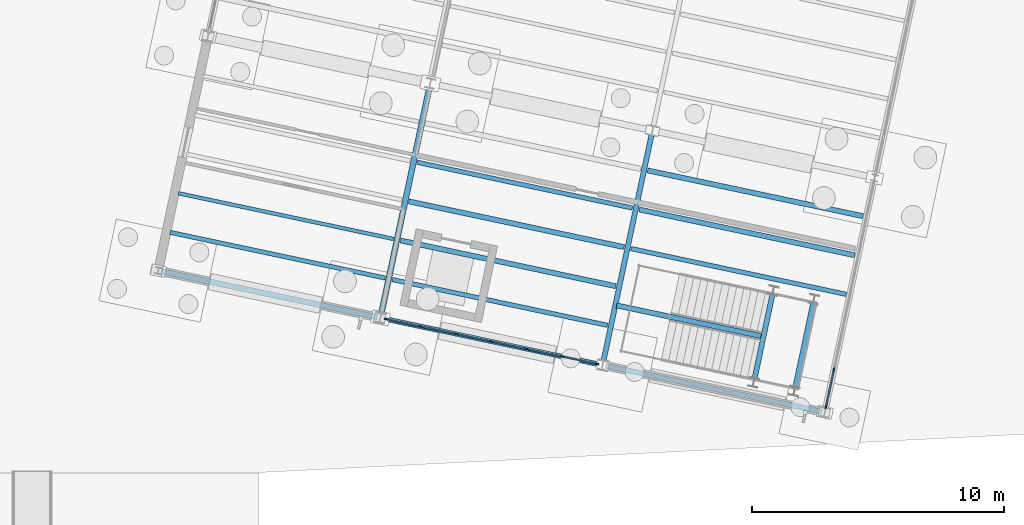
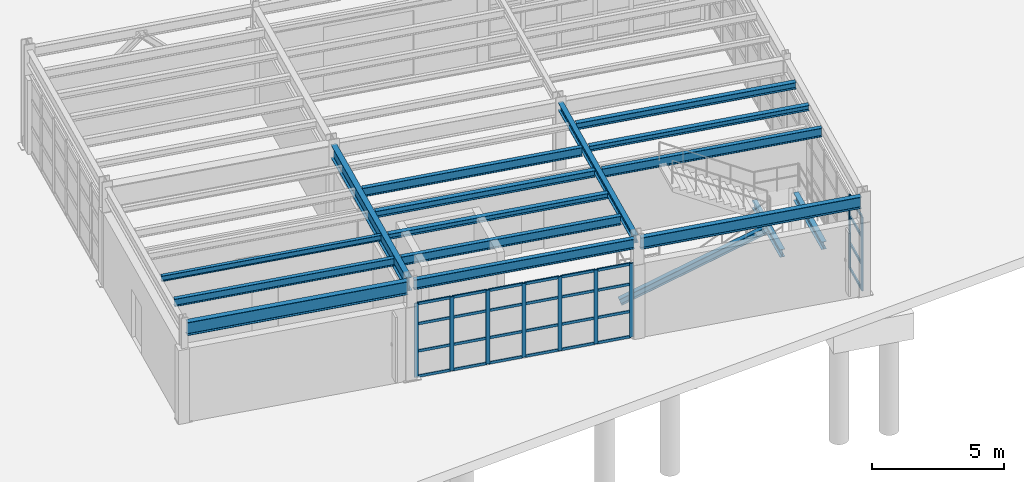
# One storey, part 53 of 108: 38 members, 16 beams, 2 elements without a shape of their own.
"""IFC4 building model written with IfcOpenShell, lengths in metres."""

from ifc_helpers import new_model, si_unit, direction, frame, origin, origin_2d, place, context, subcontext, project, spatial, rectangle, i_section, extrude, material, layer, layer_set, material_profile, profile_set, type_object, element, aggregate, save


model = new_model("IFC4")

# Units and contexts
model_context = context("Model", 3, precision=1e-05, world=origin(), true_north=direction((0.0, 1.0)))
body_context = subcontext(model_context, "Body", "Model", "MODEL_VIEW")
ifc_project = project(units=[si_unit("LENGTHUNIT", "METRE"), si_unit("AREAUNIT", "SQUARE_METRE"), si_unit("VOLUMEUNIT", "CUBIC_METRE"), si_unit("PLANEANGLEUNIT", "RADIAN"), si_unit("MASSUNIT", "GRAM", prefix="KILO")], contexts=[model_context])

# Site, building, storey
site_placement = place(None, origin())
site = spatial("IfcSite", under=ifc_project, at=site_placement, CompositionType="ELEMENT")
building_placement = place(site_placement, origin())
building = spatial("IfcBuilding", under=site, at=building_placement, Name="Vireo Bluff Cable Station", CompositionType="ELEMENT")
storey_placement = place(building_placement, origin())
storey = spatial("IfcBuildingStorey", under=building, at=storey_placement, Name="L00", CompositionType="ELEMENT", Elevation=0.0)

# Beams
ifc_material_1 = material(Name="Steel ASTM A992 Gr. 50", Category="steel")
ifc_material_profile_1 = material_profile(ifc_material_1, i_section(OverallWidth=0.2041015625, OverallDepth=0.35009765625, WebThickness=0.008544921875, FlangeThickness=0.01513671875, FilletRadius=0.010009765625, at=origin_2d()), Name="W14X48")
ifc_profile_set_1 = profile_set([ifc_material_profile_1], Name="Steel ASTM A992 Gr. 50")
beam_type_1 = type_object("IfcBeamType", Name="BM-W14X48", PredefinedType="BEAM", material=ifc_profile_set_1)
beam_1_placement = place(storey_placement, frame((147.631591796875, 6.375, 4.364990234375), z_axis=(0.207915514037, 0.978146788076, 0.0), x_axis=(-0.978146788076, 0.207915514037, 0.0)))
element("IfcBeam", 1, at=beam_1_placement, inside=storey, type_object=beam_type_1, Name="V5E L00 beam 1296", PredefinedType="BEAM", context=body_context, shape_type="SweptSolid", body=[
    extrude(i_section(OverallWidth=0.2041015625, OverallDepth=0.35009765625, WebThickness=0.008544921875, FlangeThickness=0.01513671875, FilletRadius=0.010009765625, at=origin_2d()), origin(), (0.0, 0.0, 1.0), 9.260009765625),
])
for number, where, z_axis, x_axis, name in (
    (2, (153.623046875, 5.70458984375, 2.02490234375), (0.207948730242, 0.978139727028, 0.0), (-0.978139727028, 0.207948730242, 0.0), "ST-06 L00 landing header beam N"),
    (3, (155.237060546875, 5.361572265625, 2.02490234375), (0.207948730242, 0.978139727028, 0.0), (-0.978139727028, 0.207948730242, 0.0), "ST-06 L00 landing header beam F"),
):
    element("IfcBeam", number, at=place(storey_placement, frame(where, z_axis=z_axis, x_axis=x_axis)), inside=storey, type_object=beam_type_1, Name=name, PredefinedType="BEAM", context=body_context, shape_type="SweptSolid", body=[
        extrude(i_section(OverallWidth=0.2041015625, OverallDepth=0.35009765625, WebThickness=0.008544921875, FlangeThickness=0.01513671875, FilletRadius=0.010009765625, at=origin_2d()), origin(), (0.0, 0.0, 1.0), 3.43994140625),
    ])

# Curtain wall, members
ifc_material_2 = material(Name="Anodized Aluminium 6063-T6", Category="aluminium")
ifc_layer_1 = layer(ifc_material_2, 0.179931640625, Name="Anodized Aluminium 6063-T6")
ifc_layer_set_1 = layer_set([ifc_layer_1], Name="Anodized Aluminium 6063-T6")
curtain_wall_type_1 = type_object("IfcCurtainWallType", Name="CW-UNIT-1500", PredefinedType="USERDEFINED", material=ifc_layer_set_1)
curtain_wall_1_placement = place(storey_placement, origin())
curtain_wall_1 = element("IfcCurtainWall", 4, at=curtain_wall_1_placement, inside=storey, type_object=curtain_wall_type_1, Name="V5E L00 south curtain wall CW-130", ObjectType="UNITISED CURTAIN WALL", PredefinedType="USERDEFINED")
ifc_material_profile_2 = material_profile(ifc_material_2, rectangle(XDim=0.06005859375, YDim=0.159912109375, at=origin_2d()), Name="ALU-M-60X160")
ifc_profile_set_2 = profile_set([ifc_material_profile_2], Name="Anodized Aluminium 6063-T6")
member_type_1 = type_object("IfcMemberType", Name="CWM-03", PredefinedType="MULLION", material=ifc_profile_set_2)
member_1_placement = place(storey_placement, frame((147.379150390625, 6.305908203125, 0.0), z_axis=(0.0, 0.0, 1.0), x_axis=(-0.207911683955, -0.978147602193, 0.0)))
member_1 = element("IfcMember", 5, at=member_1_placement, type_object=member_type_1, Name="CW-130 mullion 1", PredefinedType="MULLION", context=body_context, shape_type="SweptSolid", body=[
    extrude(rectangle(XDim=0.06005859375, YDim=0.159912109375, at=origin_2d()), origin(), (0.0, 0.0, 1.0), 3.39990234375),
])
member_2_placement = place(storey_placement, frame((146.00732421875, 6.597412109375, 0.0), z_axis=(0.0, 0.0, 1.0), x_axis=(-0.207911683955, -0.978147602193, 0.0)))
member_2 = element("IfcMember", 6, at=member_2_placement, type_object=member_type_1, Name="CW-130 mullion 2", PredefinedType="MULLION", context=body_context, shape_type="SweptSolid", body=[
    extrude(rectangle(XDim=0.06005859375, YDim=0.159912109375, at=origin_2d()), origin(), (0.0, 0.0, 1.0), 3.39990234375),
])
member_3_placement = place(storey_placement, frame((144.606201171875, 6.895263671875, 0.0), z_axis=(0.0, 0.0, 1.0), x_axis=(-0.207911683955, -0.978147602193, 0.0)))
member_3 = element("IfcMember", 7, at=member_3_placement, type_object=member_type_1, Name="CW-130 mullion 3", PredefinedType="MULLION", context=body_context, shape_type="SweptSolid", body=[
    extrude(rectangle(XDim=0.06005859375, YDim=0.159912109375, at=origin_2d()), origin(), (0.0, 0.0, 1.0), 3.39990234375),
])
member_4_placement = place(storey_placement, frame((143.205078125, 7.193115234375, 0.0), z_axis=(0.0, 0.0, 1.0), x_axis=(-0.207911683955, -0.978147602193, 0.0)))
member_4 = element("IfcMember", 8, at=member_4_placement, type_object=member_type_1, Name="CW-130 mullion 4", PredefinedType="MULLION", context=body_context, shape_type="SweptSolid", body=[
    extrude(rectangle(XDim=0.06005859375, YDim=0.159912109375, at=origin_2d()), origin(), (0.0, 0.0, 1.0), 3.39990234375),
])
member_5_placement = place(storey_placement, frame((141.8037109375, 7.490966796875, 0.0), z_axis=(0.0, 0.0, 1.0), x_axis=(-0.207911683955, -0.978147602193, 0.0)))
member_5 = element("IfcMember", 9, at=member_5_placement, type_object=member_type_1, Name="CW-130 mullion 5", PredefinedType="MULLION", context=body_context, shape_type="SweptSolid", body=[
    extrude(rectangle(XDim=0.06005859375, YDim=0.159912109375, at=origin_2d()), origin(), (0.0, 0.0, 1.0), 3.39990234375),
])
member_6_placement = place(storey_placement, frame((140.402587890625, 7.788818359375, 0.0), z_axis=(0.0, 0.0, 1.0), x_axis=(-0.207911683955, -0.978147602193, 0.0)))
member_6 = element("IfcMember", 10, at=member_6_placement, type_object=member_type_1, Name="CW-130 mullion 6", PredefinedType="MULLION", context=body_context, shape_type="SweptSolid", body=[
    extrude(rectangle(XDim=0.06005859375, YDim=0.159912109375, at=origin_2d()), origin(), (0.0, 0.0, 1.0), 3.39990234375),
])
member_7_placement = place(storey_placement, frame((139.03076171875, 8.08056640625, 0.0), z_axis=(0.0, 0.0, 1.0), x_axis=(-0.207911683955, -0.978147602193, 0.0)))
member_7 = element("IfcMember", 11, at=member_7_placement, type_object=member_type_1, Name="CW-130 mullion 7", PredefinedType="MULLION", context=body_context, shape_type="SweptSolid", body=[
    extrude(rectangle(XDim=0.06005859375, YDim=0.159912109375, at=origin_2d()), origin(), (0.0, 0.0, 1.0), 3.39990234375),
])

ifc_layer_2 = layer(ifc_material_2, 0.179931640625, Name="Anodized Aluminium 6063-T6")
ifc_layer_set_2 = layer_set([ifc_layer_2], Name="Anodized Aluminium 6063-T6")
curtain_wall_type_2 = type_object("IfcCurtainWallType", Name="CW-UNIT-1650", PredefinedType="USERDEFINED", material=ifc_layer_set_2)
curtain_wall_2_placement = place(storey_placement, origin())
curtain_wall_2 = element("IfcCurtainWall", 12, at=curtain_wall_2_placement, inside=storey, type_object=curtain_wall_type_2, Name="V5E L00 east curtain wall CW-134", ObjectType="UNITISED CURTAIN WALL", PredefinedType="USERDEFINED")
member_8_placement = place(storey_placement, frame((156.76953125, 6.078125, 0.0), z_axis=(0.0, 0.0, 1.0), x_axis=(0.978147584727, -0.207911766122, 0.0)))
member_8 = element("IfcMember", 13, at=member_8_placement, type_object=member_type_1, Name="CW-134 mullion 6", PredefinedType="MULLION", context=body_context, shape_type="SweptSolid", body=[
    extrude(rectangle(XDim=0.06005859375, YDim=0.159912109375, at=origin_2d()), origin(), (0.0, 0.0, 1.0), 3.39990234375),
])
member_9_placement = place(storey_placement, frame((156.4580078125, 4.61279296875, 0.0), z_axis=(0.0, 0.0, 1.0), x_axis=(0.978147584727, -0.207911766122, 0.0)))
member_9 = element("IfcMember", 14, at=member_9_placement, type_object=member_type_1, Name="CW-134 mullion 7", PredefinedType="MULLION", context=body_context, shape_type="SweptSolid", body=[
    extrude(rectangle(XDim=0.06005859375, YDim=0.159912109375, at=origin_2d()), origin(), (0.0, 0.0, 1.0), 3.39990234375),
])

# Member
ifc_material_profile_3 = material_profile(ifc_material_2, rectangle(XDim=0.06005859375, YDim=0.1201171875, at=origin_2d()), Name="ALU-T-60X120")
ifc_profile_set_3 = profile_set([ifc_material_profile_3], Name="Anodized Aluminium 6063-T6")
member_type_2 = type_object("IfcMemberType", Name="CWT-03", PredefinedType="USERDEFINED", material=ifc_profile_set_3)
member_10_placement = place(storey_placement, frame((147.349853515625, 6.312255859375, 0.030029296875), z_axis=(-0.978160237388, 0.207852231146, 0.0), x_axis=(-0.207852231146, -0.978160237388, 0.0)))
member_10 = element("IfcMember", 15, at=member_10_placement, type_object=member_type_2, Name="CW-130 transom 1.1", ObjectType="TRANSOM", PredefinedType="USERDEFINED", context=body_context, shape_type="SweptSolid", body=[
    extrude(rectangle(XDim=0.06005859375, YDim=0.1201171875, at=origin_2d()), origin(), (0.0, 0.0, 1.0), 1.342529296875),
])

member_11_placement = place(storey_placement, frame((147.349853515625, 6.312255859375, 1.18994140625), z_axis=(-0.978160237388, 0.207852231146, 0.0), x_axis=(-0.207852231146, -0.978160237388, 0.0)))
member_11 = element("IfcMember", 16, at=member_11_placement, type_object=member_type_2, Name="CW-130 transom 1.2", ObjectType="TRANSOM", PredefinedType="USERDEFINED", context=body_context, shape_type="SweptSolid", body=[
    extrude(rectangle(XDim=0.06005859375, YDim=0.1201171875, at=origin_2d()), origin(), (0.0, 0.0, 1.0), 1.342529296875),
])

member_12_placement = place(storey_placement, frame((147.349853515625, 6.312255859375, 2.447998046875), z_axis=(-0.978160237388, 0.207852231146, 0.0), x_axis=(-0.207852231146, -0.978160237388, 0.0)))
member_12 = element("IfcMember", 17, at=member_12_placement, type_object=member_type_2, Name="CW-130 transom 1.3", ObjectType="TRANSOM", PredefinedType="USERDEFINED", context=body_context, shape_type="SweptSolid", body=[
    extrude(rectangle(XDim=0.06005859375, YDim=0.1201171875, at=origin_2d()), origin(), (0.0, 0.0, 1.0), 1.342529296875),
])

member_13_placement = place(storey_placement, frame((147.349853515625, 6.312255859375, 3.3701171875), z_axis=(-0.978160237388, 0.207852231146, 0.0), x_axis=(-0.207852231146, -0.978160237388, 0.0)))
member_13 = element("IfcMember", 18, at=member_13_placement, type_object=member_type_2, Name="CW-130 transom 1.4", ObjectType="TRANSOM", PredefinedType="USERDEFINED", context=body_context, shape_type="SweptSolid", body=[
    extrude(rectangle(XDim=0.06005859375, YDim=0.1201171875, at=origin_2d()), origin(), (0.0, 0.0, 1.0), 1.342529296875),
])

member_14_placement = place(storey_placement, frame((145.97802734375, 6.603759765625, 0.030029296875), z_axis=(-0.97814212115, 0.207937468562, 0.0), x_axis=(-0.207937468562, -0.97814212115, 0.0)))
member_14 = element("IfcMember", 19, at=member_14_placement, type_object=member_type_2, Name="CW-130 transom 2.1", ObjectType="TRANSOM", PredefinedType="USERDEFINED", context=body_context, shape_type="SweptSolid", body=[
    extrude(rectangle(XDim=0.06005859375, YDim=0.1201171875, at=origin_2d()), origin(), (0.0, 0.0, 1.0), 1.37255859375),
])

member_15_placement = place(storey_placement, frame((145.97802734375, 6.603759765625, 1.18994140625), z_axis=(-0.97814212115, 0.207937468562, 0.0), x_axis=(-0.207937468562, -0.97814212115, 0.0)))
member_15 = element("IfcMember", 20, at=member_15_placement, type_object=member_type_2, Name="CW-130 transom 2.2", ObjectType="TRANSOM", PredefinedType="USERDEFINED", context=body_context, shape_type="SweptSolid", body=[
    extrude(rectangle(XDim=0.06005859375, YDim=0.1201171875, at=origin_2d()), origin(), (0.0, 0.0, 1.0), 1.37255859375),
])

member_16_placement = place(storey_placement, frame((145.97802734375, 6.603759765625, 2.447998046875), z_axis=(-0.97814212115, 0.207937468562, 0.0), x_axis=(-0.207937468562, -0.97814212115, 0.0)))
member_16 = element("IfcMember", 21, at=member_16_placement, type_object=member_type_2, Name="CW-130 transom 2.3", ObjectType="TRANSOM", PredefinedType="USERDEFINED", context=body_context, shape_type="SweptSolid", body=[
    extrude(rectangle(XDim=0.06005859375, YDim=0.1201171875, at=origin_2d()), origin(), (0.0, 0.0, 1.0), 1.37255859375),
])

member_17_placement = place(storey_placement, frame((145.97802734375, 6.603759765625, 3.3701171875), z_axis=(-0.97814212115, 0.207937468562, 0.0), x_axis=(-0.207937468562, -0.97814212115, 0.0)))
member_17 = element("IfcMember", 22, at=member_17_placement, type_object=member_type_2, Name="CW-130 transom 2.4", ObjectType="TRANSOM", PredefinedType="USERDEFINED", context=body_context, shape_type="SweptSolid", body=[
    extrude(rectangle(XDim=0.06005859375, YDim=0.1201171875, at=origin_2d()), origin(), (0.0, 0.0, 1.0), 1.37255859375),
])

member_18_placement = place(storey_placement, frame((144.576904296875, 6.901611328125, 0.030029296875), z_axis=(-0.97814212115, 0.207937468562, 0.0), x_axis=(-0.207937468562, -0.97814212115, 0.0)))
member_18 = element("IfcMember", 23, at=member_18_placement, type_object=member_type_2, Name="CW-130 transom 3.1", ObjectType="TRANSOM", PredefinedType="USERDEFINED", context=body_context, shape_type="SweptSolid", body=[
    extrude(rectangle(XDim=0.06005859375, YDim=0.1201171875, at=origin_2d()), origin(), (0.0, 0.0, 1.0), 1.37255859375),
])

member_19_placement = place(storey_placement, frame((144.576904296875, 6.901611328125, 1.18994140625), z_axis=(-0.97814212115, 0.207937468562, 0.0), x_axis=(-0.207937468562, -0.97814212115, 0.0)))
member_19 = element("IfcMember", 24, at=member_19_placement, type_object=member_type_2, Name="CW-130 transom 3.2", ObjectType="TRANSOM", PredefinedType="USERDEFINED", context=body_context, shape_type="SweptSolid", body=[
    extrude(rectangle(XDim=0.06005859375, YDim=0.1201171875, at=origin_2d()), origin(), (0.0, 0.0, 1.0), 1.37255859375),
])

member_20_placement = place(storey_placement, frame((144.576904296875, 6.901611328125, 2.447998046875), z_axis=(-0.97814212115, 0.207937468562, 0.0), x_axis=(-0.207937468562, -0.97814212115, 0.0)))
member_20 = element("IfcMember", 25, at=member_20_placement, type_object=member_type_2, Name="CW-130 transom 3.3", ObjectType="TRANSOM", PredefinedType="USERDEFINED", context=body_context, shape_type="SweptSolid", body=[
    extrude(rectangle(XDim=0.06005859375, YDim=0.1201171875, at=origin_2d()), origin(), (0.0, 0.0, 1.0), 1.37255859375),
])

member_21_placement = place(storey_placement, frame((144.576904296875, 6.901611328125, 3.3701171875), z_axis=(-0.97814212115, 0.207937468562, 0.0), x_axis=(-0.207937468562, -0.97814212115, 0.0)))
member_21 = element("IfcMember", 26, at=member_21_placement, type_object=member_type_2, Name="CW-130 transom 3.4", ObjectType="TRANSOM", PredefinedType="USERDEFINED", context=body_context, shape_type="SweptSolid", body=[
    extrude(rectangle(XDim=0.06005859375, YDim=0.1201171875, at=origin_2d()), origin(), (0.0, 0.0, 1.0), 1.37255859375),
])

member_22_placement = place(storey_placement, frame((143.175537109375, 7.199462890625, 0.030029296875), z_axis=(-0.978134428126, 0.207973653416, 0.0), x_axis=(-0.207973653416, -0.978134428126, 0.0)))
member_22 = element("IfcMember", 27, at=member_22_placement, type_object=member_type_2, Name="CW-130 transom 4.1", ObjectType="TRANSOM", PredefinedType="USERDEFINED", context=body_context, shape_type="SweptSolid", body=[
    extrude(rectangle(XDim=0.06005859375, YDim=0.1201171875, at=origin_2d()), origin(), (0.0, 0.0, 1.0), 1.372314453125),
])

member_23_placement = place(storey_placement, frame((143.175537109375, 7.199462890625, 1.18994140625), z_axis=(-0.978134428126, 0.207973653416, 0.0), x_axis=(-0.207973653416, -0.978134428126, 0.0)))
member_23 = element("IfcMember", 28, at=member_23_placement, type_object=member_type_2, Name="CW-130 transom 4.2", ObjectType="TRANSOM", PredefinedType="USERDEFINED", context=body_context, shape_type="SweptSolid", body=[
    extrude(rectangle(XDim=0.06005859375, YDim=0.1201171875, at=origin_2d()), origin(), (0.0, 0.0, 1.0), 1.372314453125),
])

member_24_placement = place(storey_placement, frame((143.175537109375, 7.199462890625, 2.447998046875), z_axis=(-0.978134428126, 0.207973653416, 0.0), x_axis=(-0.207973653416, -0.978134428126, 0.0)))
member_24 = element("IfcMember", 29, at=member_24_placement, type_object=member_type_2, Name="CW-130 transom 4.3", ObjectType="TRANSOM", PredefinedType="USERDEFINED", context=body_context, shape_type="SweptSolid", body=[
    extrude(rectangle(XDim=0.06005859375, YDim=0.1201171875, at=origin_2d()), origin(), (0.0, 0.0, 1.0), 1.372314453125),
])

member_25_placement = place(storey_placement, frame((143.175537109375, 7.199462890625, 3.3701171875), z_axis=(-0.978134428126, 0.207973653416, 0.0), x_axis=(-0.207973653416, -0.978134428126, 0.0)))
member_25 = element("IfcMember", 30, at=member_25_placement, type_object=member_type_2, Name="CW-130 transom 4.4", ObjectType="TRANSOM", PredefinedType="USERDEFINED", context=body_context, shape_type="SweptSolid", body=[
    extrude(rectangle(XDim=0.06005859375, YDim=0.1201171875, at=origin_2d()), origin(), (0.0, 0.0, 1.0), 1.372314453125),
])

member_26_placement = place(storey_placement, frame((141.7744140625, 7.497314453125, 0.030029296875), z_axis=(-0.97814212115, 0.207937468562, 0.0), x_axis=(-0.207937468562, -0.97814212115, 0.0)))
member_26 = element("IfcMember", 31, at=member_26_placement, type_object=member_type_2, Name="CW-130 transom 5.1", ObjectType="TRANSOM", PredefinedType="USERDEFINED", context=body_context, shape_type="SweptSolid", body=[
    extrude(rectangle(XDim=0.06005859375, YDim=0.1201171875, at=origin_2d()), origin(), (0.0, 0.0, 1.0), 1.37255859375),
])

member_27_placement = place(storey_placement, frame((141.7744140625, 7.497314453125, 1.18994140625), z_axis=(-0.97814212115, 0.207937468562, 0.0), x_axis=(-0.207937468562, -0.97814212115, 0.0)))
member_27 = element("IfcMember", 32, at=member_27_placement, type_object=member_type_2, Name="CW-130 transom 5.2", ObjectType="TRANSOM", PredefinedType="USERDEFINED", context=body_context, shape_type="SweptSolid", body=[
    extrude(rectangle(XDim=0.06005859375, YDim=0.1201171875, at=origin_2d()), origin(), (0.0, 0.0, 1.0), 1.37255859375),
])

member_28_placement = place(storey_placement, frame((141.7744140625, 7.497314453125, 2.447998046875), z_axis=(-0.97814212115, 0.207937468562, 0.0), x_axis=(-0.207937468562, -0.97814212115, 0.0)))
member_28 = element("IfcMember", 33, at=member_28_placement, type_object=member_type_2, Name="CW-130 transom 5.3", ObjectType="TRANSOM", PredefinedType="USERDEFINED", context=body_context, shape_type="SweptSolid", body=[
    extrude(rectangle(XDim=0.06005859375, YDim=0.1201171875, at=origin_2d()), origin(), (0.0, 0.0, 1.0), 1.37255859375),
])

member_29_placement = place(storey_placement, frame((141.7744140625, 7.497314453125, 3.3701171875), z_axis=(-0.97814212115, 0.207937468562, 0.0), x_axis=(-0.207937468562, -0.97814212115, 0.0)))
member_29 = element("IfcMember", 34, at=member_29_placement, type_object=member_type_2, Name="CW-130 transom 5.4", ObjectType="TRANSOM", PredefinedType="USERDEFINED", context=body_context, shape_type="SweptSolid", body=[
    extrude(rectangle(XDim=0.06005859375, YDim=0.1201171875, at=origin_2d()), origin(), (0.0, 0.0, 1.0), 1.37255859375),
])

member_30_placement = place(storey_placement, frame((140.373291015625, 7.795166015625, 0.030029296875), z_axis=(-0.978160237388, 0.207852231146, 0.0), x_axis=(-0.207852231146, -0.978160237388, 0.0)))
member_30 = element("IfcMember", 35, at=member_30_placement, type_object=member_type_2, Name="CW-130 transom 6.1", ObjectType="TRANSOM", PredefinedType="USERDEFINED", context=body_context, shape_type="SweptSolid", body=[
    extrude(rectangle(XDim=0.06005859375, YDim=0.1201171875, at=origin_2d()), origin(), (0.0, 0.0, 1.0), 1.342529296875),
])

member_31_placement = place(storey_placement, frame((140.373291015625, 7.795166015625, 1.18994140625), z_axis=(-0.978160237388, 0.207852231146, 0.0), x_axis=(-0.207852231146, -0.978160237388, 0.0)))
member_31 = element("IfcMember", 36, at=member_31_placement, type_object=member_type_2, Name="CW-130 transom 6.2", ObjectType="TRANSOM", PredefinedType="USERDEFINED", context=body_context, shape_type="SweptSolid", body=[
    extrude(rectangle(XDim=0.06005859375, YDim=0.1201171875, at=origin_2d()), origin(), (0.0, 0.0, 1.0), 1.342529296875),
])

member_32_placement = place(storey_placement, frame((140.373291015625, 7.795166015625, 2.447998046875), z_axis=(-0.978160237388, 0.207852231146, 0.0), x_axis=(-0.207852231146, -0.978160237388, 0.0)))
member_32 = element("IfcMember", 37, at=member_32_placement, type_object=member_type_2, Name="CW-130 transom 6.3", ObjectType="TRANSOM", PredefinedType="USERDEFINED", context=body_context, shape_type="SweptSolid", body=[
    extrude(rectangle(XDim=0.06005859375, YDim=0.1201171875, at=origin_2d()), origin(), (0.0, 0.0, 1.0), 1.342529296875),
])

member_33_placement = place(storey_placement, frame((140.373291015625, 7.795166015625, 3.3701171875), z_axis=(-0.978160237388, 0.207852231146, 0.0), x_axis=(-0.207852231146, -0.978160237388, 0.0)))
member_33 = element("IfcMember", 38, at=member_33_placement, type_object=member_type_2, Name="CW-130 transom 6.4", ObjectType="TRANSOM", PredefinedType="USERDEFINED", context=body_context, shape_type="SweptSolid", body=[
    extrude(rectangle(XDim=0.06005859375, YDim=0.1201171875, at=origin_2d()), origin(), (0.0, 0.0, 1.0), 1.342529296875),
])

aggregate(curtain_wall_1, [member_1, member_2, member_3, member_4, member_5, member_6, member_7, member_10, member_11, member_12, member_13, member_14, member_15, member_16, member_17, member_18, member_19, member_20, member_21, member_22, member_23, member_24, member_25, member_26, member_27, member_28, member_29, member_30, member_31, member_32, member_33])

member_34_placement = place(storey_placement, frame((156.763427734375, 6.048828125, 0.030029296875), z_axis=(-0.20795214779, -0.978139000464, 0.0), x_axis=(0.978139000464, -0.20795214779, 0.0)))
member_34 = element("IfcMember", 39, at=member_34_placement, type_object=member_type_2, Name="CW-134 transom 6.1", ObjectType="TRANSOM", PredefinedType="USERDEFINED", context=body_context, shape_type="SweptSolid", body=[
    extrude(rectangle(XDim=0.06005859375, YDim=0.1201171875, at=origin_2d()), origin(), (0.0, 0.0, 1.0), 1.438232421875),
])

member_35_placement = place(storey_placement, frame((156.763427734375, 6.048828125, 1.18994140625), z_axis=(-0.20795214779, -0.978139000464, 0.0), x_axis=(0.978139000464, -0.20795214779, 0.0)))
member_35 = element("IfcMember", 40, at=member_35_placement, type_object=member_type_2, Name="CW-134 transom 6.2", ObjectType="TRANSOM", PredefinedType="USERDEFINED", context=body_context, shape_type="SweptSolid", body=[
    extrude(rectangle(XDim=0.06005859375, YDim=0.1201171875, at=origin_2d()), origin(), (0.0, 0.0, 1.0), 1.438232421875),
])

member_36_placement = place(storey_placement, frame((156.763427734375, 6.048828125, 2.447998046875), z_axis=(-0.20795214779, -0.978139000464, 0.0), x_axis=(0.978139000464, -0.20795214779, 0.0)))
member_36 = element("IfcMember", 41, at=member_36_placement, type_object=member_type_2, Name="CW-134 transom 6.3", ObjectType="TRANSOM", PredefinedType="USERDEFINED", context=body_context, shape_type="SweptSolid", body=[
    extrude(rectangle(XDim=0.06005859375, YDim=0.1201171875, at=origin_2d()), origin(), (0.0, 0.0, 1.0), 1.438232421875),
])

member_37_placement = place(storey_placement, frame((156.763427734375, 6.048828125, 3.3701171875), z_axis=(-0.20795214779, -0.978139000464, 0.0), x_axis=(0.978139000464, -0.20795214779, 0.0)))
member_37 = element("IfcMember", 42, at=member_37_placement, type_object=member_type_2, Name="CW-134 transom 6.4", ObjectType="TRANSOM", PredefinedType="USERDEFINED", context=body_context, shape_type="SweptSolid", body=[
    extrude(rectangle(XDim=0.06005859375, YDim=0.1201171875, at=origin_2d()), origin(), (0.0, 0.0, 1.0), 1.438232421875),
])

aggregate(curtain_wall_2, [member_8, member_9, member_34, member_35, member_36, member_37])

# Beams
ifc_material_profile_4 = material_profile(ifc_material_1, i_section(OverallWidth=0.14599609375, OverallDepth=0.259033203125, WebThickness=0.006103515625, FlangeThickness=0.009033203125, FilletRadius=0.009033203125, at=origin_2d()), Name="W10X22")
ifc_profile_set_4 = profile_set([ifc_material_profile_4], Name="Steel ASTM A992 Gr. 50")
beam_type_2 = type_object("IfcBeamType", Name="JST-W10X22", PredefinedType="JOIST", material=ifc_profile_set_4)
beam_2_placement = place(storey_placement, frame((130.79541015625, 13.068359375, 4.410400390625), z_axis=(0.978146894897, -0.207915011493, 0.0), x_axis=(0.207915011493, 0.978146894897, 0.0)))
element("IfcBeam", 43, at=beam_2_placement, inside=storey, type_object=beam_type_2, Name="V5E L00 composite joist 1324", PredefinedType="JOIST", context=body_context, shape_type="SweptSolid", body=[
    extrude(i_section(OverallWidth=0.14599609375, OverallDepth=0.259033203125, WebThickness=0.006103515625, FlangeThickness=0.009033203125, FilletRadius=0.009033203125, at=origin_2d()), origin(), (0.0, 0.0, 1.0), 8.719970703125),
])
ifc_material_profile_5 = material_profile(ifc_material_1, i_section(OverallWidth=0.201904296875, OverallDepth=0.2470703125, WebThickness=0.00732421875, FlangeThickness=0.010986328125, FilletRadius=0.009033203125, at=origin_2d()), Name="W10X33")
ifc_profile_set_5 = profile_set([ifc_material_profile_5], Name="Steel ASTM A992 Gr. 50")
beam_type_3 = type_object("IfcBeamType", Name="JST-W10X33", PredefinedType="JOIST", material=ifc_profile_set_5)
for number, where, z_axis, x_axis, name in (
    (44, (139.5986328125, 11.197265625, 4.41650390625), (0.978148105174, -0.207909317601, 0.0), (0.207909317601, 0.978148105174, 0.0), "V5E L00 composite joist 1301"),
    (45, (149.060302734375, 12.42333984375, 4.41650390625), (0.978148105174, -0.207909317601, 0.0), (0.207909317601, 0.978148105174, 0.0), "V5E L00 composite joist 1311"),
):
    element("IfcBeam", number, at=place(storey_placement, frame(where, z_axis=z_axis, x_axis=x_axis)), inside=storey, type_object=beam_type_3, Name=name, PredefinedType="JOIST", context=body_context, shape_type="SweptSolid", body=[
        extrude(i_section(OverallWidth=0.201904296875, OverallDepth=0.2470703125, WebThickness=0.00732421875, FlangeThickness=0.010986328125, FilletRadius=0.009033203125, at=origin_2d()), origin(), (0.0, 0.0, 1.0), 8.719970703125),
    ])
ifc_material_profile_6 = material_profile(ifc_material_1, i_section(OverallWidth=0.202880859375, OverallDepth=0.302978515625, WebThickness=0.007568359375, FlangeThickness=0.01318359375, FilletRadius=0.010009765625, at=origin_2d()), Name="W12X40")
ifc_profile_set_6 = profile_set([ifc_material_profile_6], Name="Steel ASTM A992 Gr. 50")
beam_type_4 = type_object("IfcBeamType", Name="JST-W12X40", PredefinedType="JOIST", material=ifc_profile_set_6)
for number, where, z_axis, x_axis, name in (
    (46, (139.927734375, 12.745849609375, 4.388427734375), (0.978148105174, -0.207909317601, 0.0), (0.207909317601, 0.978148105174, 0.0), "V5E L00 composite joist 1302"),
    (47, (149.3896484375, 13.97216796875, 4.388427734375), (0.978146894897, -0.207915011493, 0.0), (0.207915011493, 0.978146894897, 0.0), "V5E L00 composite joist 1312"),
):
    element("IfcBeam", number, at=place(storey_placement, frame(where, z_axis=z_axis, x_axis=x_axis)), inside=storey, type_object=beam_type_4, Name=name, PredefinedType="JOIST", context=body_context, shape_type="SweptSolid", body=[
        extrude(i_section(OverallWidth=0.202880859375, OverallDepth=0.302978515625, WebThickness=0.007568359375, FlangeThickness=0.01318359375, FilletRadius=0.010009765625, at=origin_2d()), origin(), (0.0, 0.0, 1.0), 8.719970703125),
    ])
ifc_material_profile_7 = material_profile(ifc_material_1, i_section(OverallWidth=0.1708984375, OverallDepth=0.35107421875, WebThickness=0.0068359375, FlangeThickness=0.009765625, FilletRadius=0.010009765625, at=origin_2d()), Name="W14X30")
ifc_profile_set_7 = profile_set([ifc_material_profile_7], Name="Steel ASTM A992 Gr. 50")
beam_type_5 = type_object("IfcBeamType", Name="JST-W14X30", PredefinedType="JOIST", material=ifc_profile_set_7)
beam_3_placement = place(storey_placement, frame((130.466064453125, 11.51953125, 4.364501953125), z_axis=(0.978148105174, -0.207909317601, 0.0), x_axis=(0.207909317601, 0.978148105174, 0.0)))
element("IfcBeam", 48, at=beam_3_placement, inside=storey, type_object=beam_type_5, Name="V5E L00 composite joist 1323", PredefinedType="JOIST", context=body_context, shape_type="SweptSolid", body=[
    extrude(i_section(OverallWidth=0.1708984375, OverallDepth=0.35107421875, WebThickness=0.0068359375, FlangeThickness=0.009765625, FilletRadius=0.010009765625, at=origin_2d()), origin(), (0.0, 0.0, 1.0), 8.719970703125),
])
ifc_material_profile_8 = material_profile(ifc_material_1, i_section(OverallWidth=0.177978515625, OverallDepth=0.404052734375, WebThickness=0.007568359375, FlangeThickness=0.010986328125, FilletRadius=0.010009765625, at=origin_2d()), Name="W16X36")
ifc_profile_set_8 = profile_set([ifc_material_profile_8], Name="Steel ASTM A992 Gr. 50")
beam_type_6 = type_object("IfcBeamType", Name="JST-W16X36", PredefinedType="JOIST", material=ifc_profile_set_8)
for number, where, z_axis, x_axis, name in (
    (49, (139.26953125, 9.6484375, 4.337890625), (0.978146894897, -0.207915011493, 0.0), (0.207915011493, 0.978146894897, 0.0), "V5E L00 composite joist 1300"),
    (50, (140.257080078125, 14.294677734375, 4.337890625), (0.978146894897, -0.207915011493, 0.0), (0.207915011493, 0.978146894897, 0.0), "V5E L00 composite joist 1303"),
    (51, (148.731201171875, 10.874755859375, 4.337890625), (0.978148105174, -0.207909317601, 0.0), (0.207909317601, 0.978148105174, 0.0), "V5E L00 composite joist 1310"),
):
    element("IfcBeam", number, at=place(storey_placement, frame(where, z_axis=z_axis, x_axis=x_axis)), inside=storey, type_object=beam_type_6, Name=name, PredefinedType="JOIST", context=body_context, shape_type="SweptSolid", body=[
        extrude(i_section(OverallWidth=0.177978515625, OverallDepth=0.404052734375, WebThickness=0.007568359375, FlangeThickness=0.010986328125, FilletRadius=0.010009765625, at=origin_2d()), origin(), (0.0, 0.0, 1.0), 8.719970703125),
    ])
ifc_material_profile_9 = material_profile(ifc_material_1, i_section(OverallWidth=0.19091796875, OverallDepth=0.45703125, WebThickness=0.009033203125, FlangeThickness=0.014404296875, FilletRadius=0.011962890625, at=origin_2d()), Name="W18X50")
ifc_profile_set_9 = profile_set([ifc_material_profile_9], Name="Steel ASTM A992 Gr. 50")
beam_type_7 = type_object("IfcBeamType", Name="SPN-W18X50", PredefinedType="SPANDREL", material=ifc_profile_set_9)
beam_4_placement = place(storey_placement, frame((138.920654296875, 8.103759765625, 4.3115234375), z_axis=(0.978148154167, -0.207909087104, 0.0), x_axis=(0.207909087104, 0.978148154167, 0.0)))
element("IfcBeam", 52, at=beam_4_placement, inside=storey, type_object=beam_type_7, Name="V5E L00 spandrel 1288", PredefinedType="SPANDREL", context=body_context, shape_type="SweptSolid", body=[
    extrude(i_section(OverallWidth=0.19091796875, OverallDepth=0.45703125, WebThickness=0.009033203125, FlangeThickness=0.014404296875, FilletRadius=0.011962890625, at=origin_2d()), origin(), (0.0, 0.0, 1.0), 8.760009765625),
])
ifc_material_profile_10 = material_profile(ifc_material_1, i_section(OverallWidth=0.2099609375, OverallDepth=0.535888671875, WebThickness=0.010986328125, FlangeThickness=0.017333984375, FilletRadius=0.012939453125, at=origin_2d()), Name="W21X68")
ifc_profile_set_10 = profile_set([ifc_material_profile_10], Name="Steel ASTM A992 Gr. 50")
beam_type_8 = type_object("IfcBeamType", Name="SPN-W21X68", PredefinedType="SPANDREL", material=ifc_profile_set_10)
beam_5_placement = place(storey_placement, frame((147.72412109375, 6.232666015625, 4.27197265625), z_axis=(0.978148154167, -0.207909087104, 0.0), x_axis=(0.207909087104, 0.978148154167, 0.0)))
element("IfcBeam", 53, at=beam_5_placement, inside=storey, type_object=beam_type_8, Name="V5E L00 spandrel 1289", PredefinedType="SPANDREL", context=body_context, shape_type="SweptSolid", body=[
    extrude(i_section(OverallWidth=0.2099609375, OverallDepth=0.535888671875, WebThickness=0.010986328125, FlangeThickness=0.017333984375, FilletRadius=0.012939453125, at=origin_2d()), origin(), (0.0, 0.0, 1.0), 8.760009765625),
])
ifc_material_profile_11 = material_profile(ifc_material_1, i_section(OverallWidth=0.22802734375, OverallDepth=0.60693359375, WebThickness=0.01123046875, FlangeThickness=0.017333984375, FilletRadius=0.012939453125, at=origin_2d()), Name="W24X76")
ifc_profile_set_11 = profile_set([ifc_material_profile_11], Name="Steel ASTM A992 Gr. 50")
beam_type_9 = type_object("IfcBeamType", Name="SPN-W24X76", PredefinedType="SPANDREL", material=ifc_profile_set_11)
beam_6_placement = place(storey_placement, frame((138.828369140625, 8.24609375, 4.236572265625), z_axis=(0.207890288422, 0.978152149709, 0.0), x_axis=(-0.978152149709, 0.207890288422, 0.0)))
element("IfcBeam", 54, at=beam_6_placement, inside=storey, type_object=beam_type_9, Name="V5E L00 spandrel 1294", PredefinedType="SPANDREL", context=body_context, shape_type="SweptSolid", body=[
    extrude(i_section(OverallWidth=0.22802734375, OverallDepth=0.60693359375, WebThickness=0.01123046875, FlangeThickness=0.017333984375, FilletRadius=0.012939453125, at=origin_2d()), origin(), (0.0, 0.0, 1.0), 9.260009765625),
])
beam_7_placement = place(storey_placement, frame((130.117431640625, 9.97509765625, 4.236572265625), z_axis=(0.978148154167, -0.207909087104, 0.0), x_axis=(0.207909087104, 0.978148154167, 0.0)))
element("IfcBeam", 55, at=beam_7_placement, inside=storey, type_object=beam_type_9, Name="V5E L00 spandrel 1318", PredefinedType="SPANDREL", context=body_context, shape_type="SweptSolid", body=[
    extrude(i_section(OverallWidth=0.22802734375, OverallDepth=0.60693359375, WebThickness=0.01123046875, FlangeThickness=0.017333984375, FilletRadius=0.012939453125, at=origin_2d()), origin(), (0.0, 0.0, 1.0), 8.760009765625),
])

# Member
ifc_material_profile_12 = material_profile(ifc_material_1, i_section(OverallWidth=0.202880859375, OverallDepth=0.302978515625, WebThickness=0.007568359375, FlangeThickness=0.01318359375, FilletRadius=0.010009765625, at=origin_2d()), Name="W12X40")
ifc_profile_set_12 = profile_set([ifc_material_profile_12], Name="Steel ASTM A992 Gr. 50")
member_type_3 = type_object("IfcMemberType", Name="STRINGER-02", PredefinedType="STRINGER", material=ifc_profile_set_12)
member_38_placement = place(storey_placement, frame((148.209716796875, 8.61376953125, -0.050048828125), z_axis=(0.921875282642, -0.195954546383, 0.334286971037), x_axis=(0.207915656103, 0.978146757878, 0.0)))
element("IfcMember", 56, at=member_38_placement, inside=storey, type_object=member_type_3, Name="ST-06 L00 steel stair stringer", PredefinedType="STRINGER", context=body_context, shape_type="SweptSolid", body=[
    extrude(i_section(OverallWidth=0.202880859375, OverallDepth=0.302978515625, WebThickness=0.007568359375, FlangeThickness=0.01318359375, FilletRadius=0.010009765625, at=origin_2d()), origin(), (0.0, 0.0, 1.0), 6.20703125),
])

save(model, "model.ifc")
